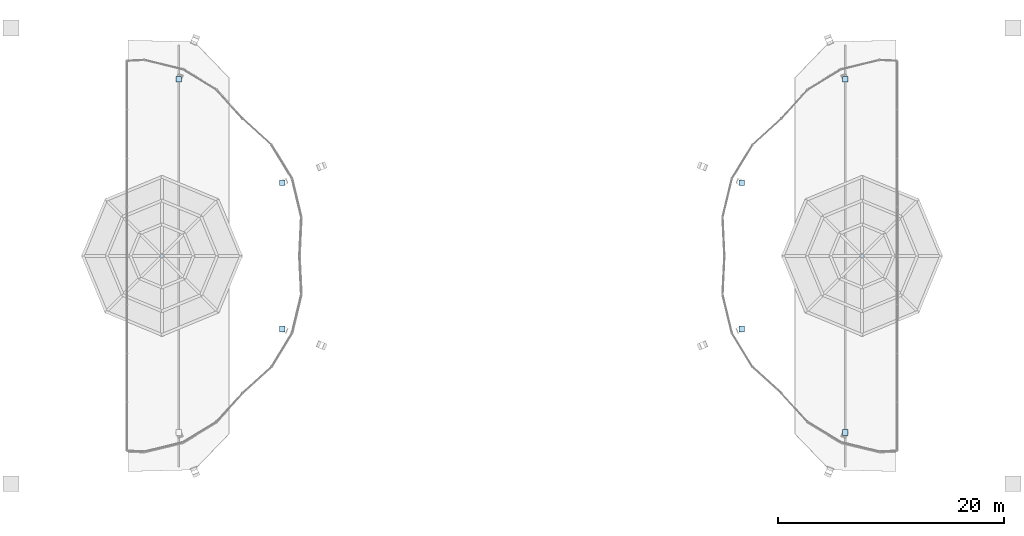
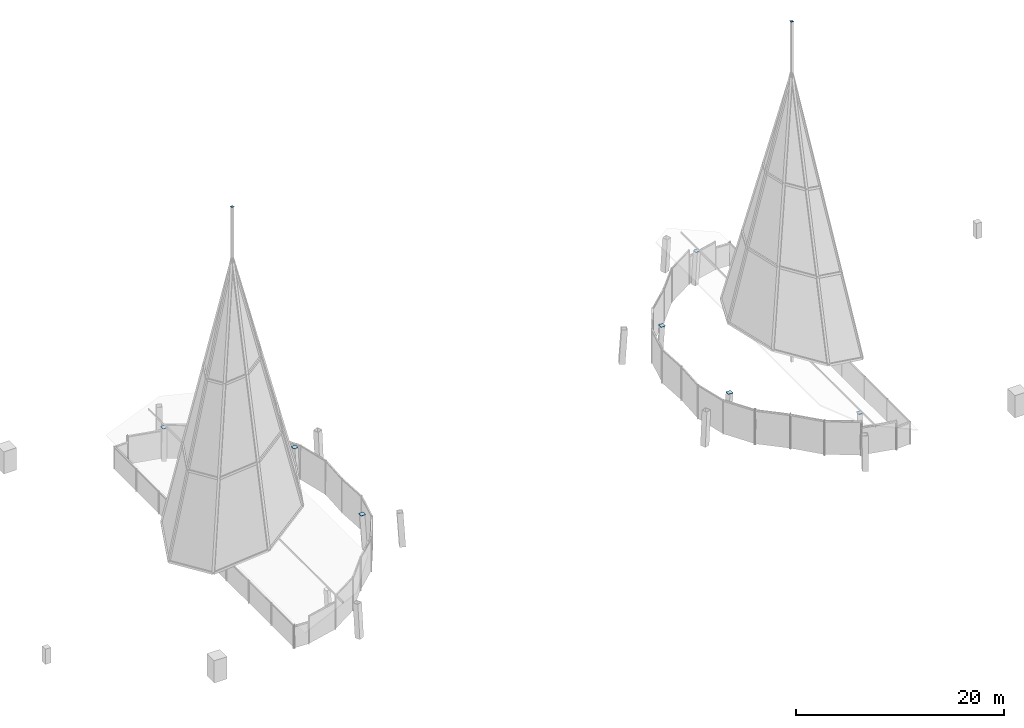
# One storey, part 14 of 16: 9 plates.
"""IFC4 building model written with IfcOpenShell, lengths in metres."""

from ifc_helpers import new_model, si_unit, direction, frame, origin, place, context, subcontext, project, spatial, polyline, outline, extrude, material, layer, layer_set, type_object, element, save


model = new_model("IFC4")

# Units and contexts
model_context = context("Model", 3, precision=1e-05, world=origin(), true_north=direction((0.0, 1.0)))
body_context = subcontext(model_context, "Body", "Model", "MODEL_VIEW")
ifc_project = project(units=[si_unit("LENGTHUNIT", "METRE"), si_unit("AREAUNIT", "SQUARE_METRE"), si_unit("VOLUMEUNIT", "CUBIC_METRE"), si_unit("PLANEANGLEUNIT", "RADIAN"), si_unit("MASSUNIT", "GRAM", prefix="KILO")], contexts=[model_context])

# Site, building, storey
site_placement = place(None, origin())
site = spatial("IfcSite", under=ifc_project, at=site_placement, CompositionType="ELEMENT")
building_placement = place(site_placement, origin())
building = spatial("IfcBuilding", under=site, at=building_placement, Name="Ogive Gate Towers", CompositionType="ELEMENT")
storey_placement = place(building_placement, frame((0.0, 0.0, 310.0)))
storey = spatial("IfcBuildingStorey", under=building, at=storey_placement, Name="L73", CompositionType="ELEMENT", Elevation=310.0)

# Plates
ifc_material = material(Name="Steel SM460", Category="steel")
ifc_layer_1 = layer(ifc_material, 0.01611328125)
ifc_layer_set_1 = layer_set([ifc_layer_1], Name="Hollow section end plate 16")
plate_type_1 = type_object("IfcPlateType", Name="Hollow section end plate 16", PredefinedType="SHEET", material=ifc_layer_set_1)
for number, where, z_axis, x_axis, name in (
    (1, (-31.125, -0.125, 39.8837890625), (0.0, 0.0, 1.0), (1.0, 0.0, 0.0), "End plate"),
    (2, (30.875, -0.125, 39.8837890625), (0.0, 0.0, 1.0), (1.0, 0.0, 0.0), "End plate"),
):
    element("IfcPlate", number, at=place(storey_placement, frame(where, z_axis=z_axis, x_axis=x_axis)), inside=storey, type_object=plate_type_1, Name=name, PredefinedType="SHEET", context=body_context, shape_type="SweptSolid", body=[
        extrude(outline(polyline([(0.0, 0.0), (0.25, 0.0), (0.25, 0.25), (0.0, 0.25), (0.0, 0.0)])), origin(), (0.0, 0.0, -1.0), 0.01611328125),
    ])
ifc_layer_2 = layer(ifc_material, 0.030029296875)
ifc_layer_set_2 = layer_set([ifc_layer_2], Name="Hollow section end plate 30")
plate_type_2 = type_object("IfcPlateType", Name="Hollow section end plate 30", PredefinedType="SHEET", material=ifc_layer_set_2)
for number, where, z_axis, x_axis, name in (
    (3, (-20.608642578125, 6.228759765625, 4.030029296875), (0.0, 0.0, 1.0), (1.0, 0.0, 0.0), "End plate"),
    (4, (-29.771240234375, 15.391357421875, 4.030029296875), (0.0, 0.0, 1.0), (1.0, 0.0, 0.0), "End plate"),
    (5, (-20.608642578125, -6.728759765625, 4.030029296875), (0.0, 0.0, 1.0), (1.0, 0.0, 0.0), "End plate"),
    (6, (29.271240234375, 15.391357421875, 4.030029296875), (0.0, 0.0, 1.0), (1.0, 0.0, 0.0), "End plate"),
    (7, (20.108642578125, 6.228759765625, 4.030029296875), (0.0, 0.0, 1.0), (1.0, 0.0, 0.0), "End plate"),
    (8, (20.108642578125, -6.728759765625, 4.030029296875), (0.0, 0.0, 1.0), (1.0, 0.0, 0.0), "End plate"),
    (9, (29.271240234375, -15.891357421875, 4.030029296875), (0.0, 0.0, 1.0), (1.0, 0.0, 0.0), "End plate"),
):
    element("IfcPlate", number, at=place(storey_placement, frame(where, z_axis=z_axis, x_axis=x_axis)), inside=storey, type_object=plate_type_2, Name=name, PredefinedType="SHEET", context=body_context, shape_type="SweptSolid", body=[
        extrude(outline(polyline([(0.0, 0.0), (0.5, 0.0), (0.5, 0.5), (0.0, 0.5), (0.0, 0.0)])), origin(), (0.0, 0.0, -1.0), 0.030029296875),
    ])

save(model, "model.ifc")
